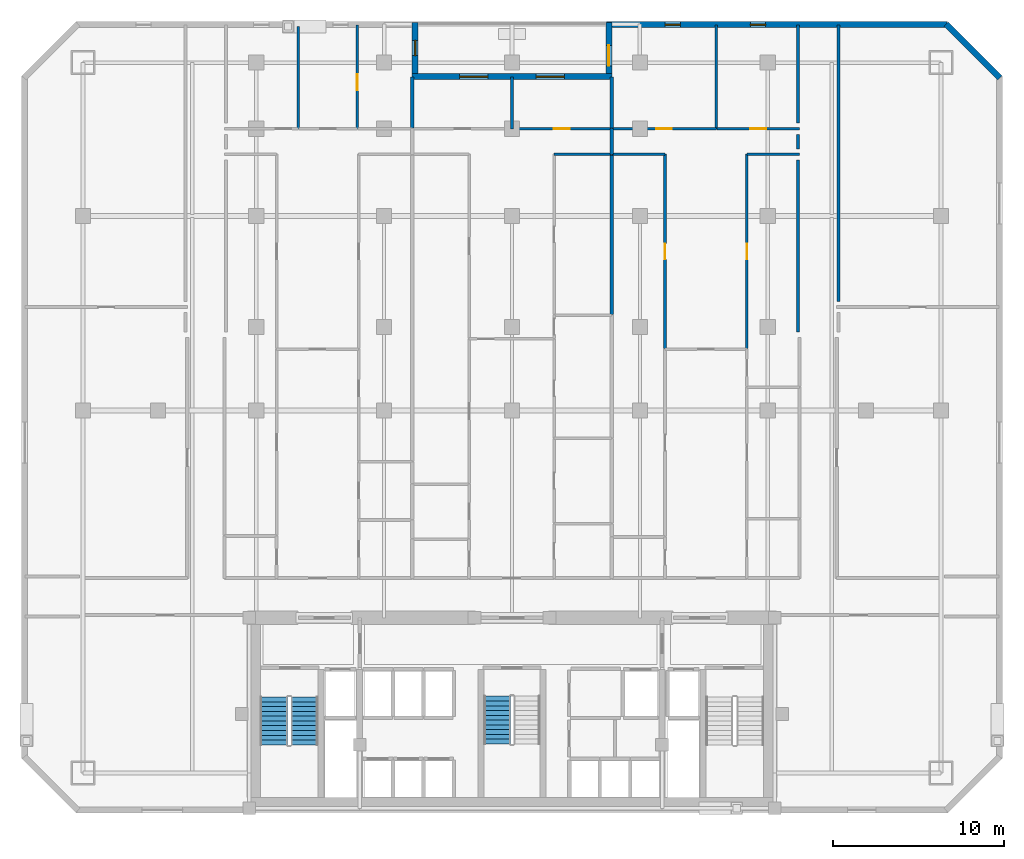
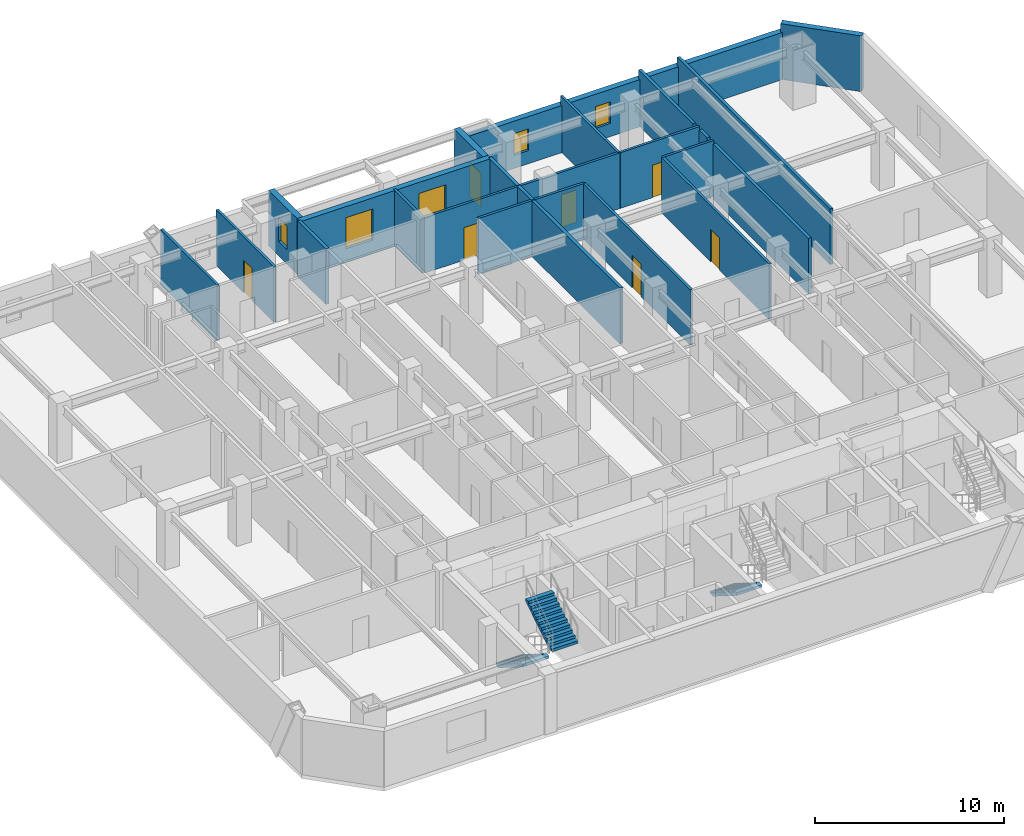
# One storey, part 7 of 9: 25 walls, 7 doors, 5 windows, 3 stair flights, 12 openings, 2 elements without a shape of their own.
"""IFC4 building model written with IfcOpenShell, lengths in metres."""

from ifc_helpers import new_model, si_unit, direction, frame, frame_2d, origin, place, context, subcontext, project, spatial, polyline, rectangle, outline, extrude, material, layer, layer_set, type_object, element, fill, aggregate, save


model = new_model("IFC4")

# Units and contexts
model_context = context("Model", 3, precision=1e-05, world=origin(), true_north=direction((0.0, 1.0)))
body_context = subcontext(model_context, "Body", "Model", "MODEL_VIEW")
ifc_project = project(units=[si_unit("LENGTHUNIT", "METRE"), si_unit("AREAUNIT", "SQUARE_METRE"), si_unit("VOLUMEUNIT", "CUBIC_METRE"), si_unit("PLANEANGLEUNIT", "RADIAN"), si_unit("MASSUNIT", "GRAM", prefix="KILO")], contexts=[model_context])

# Site, building, storey
site_placement = place(None, origin())
site = spatial("IfcSite", under=ifc_project, at=site_placement, CompositionType="ELEMENT")
building_placement = place(site_placement, origin())
building = spatial("IfcBuilding", under=site, at=building_placement, Name="Ventersveld Concourse Tower", CompositionType="ELEMENT")
storey_placement = place(building_placement, frame((0.0, 0.0, 52.89990234375)))
storey = spatial("IfcBuildingStorey", under=building, at=storey_placement, Name="L12", CompositionType="ELEMENT", Elevation=52.89990234375)

# Walls
ifc_material_1 = material(Name="Fire-rated autoclaved aerated masonry blockwork", Category="masonry")
ifc_layer_1 = layer(ifc_material_1, 0.179931640625)
ifc_layer_set_1 = layer_set([ifc_layer_1], Name="Fire-rated autoclaved aerated masonry blockwork")
wall_type_1 = type_object("IfcWallType", Name="WL-CORR-180", PredefinedType="PARTITIONING", material=ifc_layer_set_1)
wall_1_placement = place(storey_placement, frame((47.8798828125, 29.9951171875, 0.0), z_axis=(0.0, 0.0, 1.0), x_axis=(0.0, 1.0, 0.0)))
element("IfcWall", 1, at=wall_1_placement, inside=storey, type_object=wall_type_1, Name="L12 Room Enclosure Wall SP-L12-NELNG2", PredefinedType="PARTITIONING", context=body_context, shape_type="SweptSolid", body=[
    extrude(rectangle(XDim=16.19482421875, YDim=0.179931640625, at=frame_2d((8.097412109375, 0.0))), origin(), (0.0, 0.0, 1.0), 3.60009765625),
])
wall_2_placement = place(storey_placement, frame((45.52001953125, 39.794921875, 0.0), z_axis=(0.0, 0.0, 1.0), x_axis=(0.0, -1.0, 0.0)))
element("IfcWall", 2, at=wall_2_placement, inside=storey, type_object=wall_type_1, Name="L12 Room Enclosure Wall SP-L12-12CE-LIV", PredefinedType="PARTITIONING", context=body_context, shape_type="SweptSolid", body=[
    extrude(rectangle(XDim=0.849853515625, YDim=0.179931640625, at=frame_2d((0.4248046875, 0.0))), origin(), (0.0, 0.0, 1.0), 3.60009765625),
])
wall_3_placement = place(storey_placement, frame((45.52001953125, 38.294921875, 0.0), z_axis=(0.0, 0.0, 1.0), x_axis=(0.0, -1.0, 0.0)))
element("IfcWall", 3, at=wall_3_placement, inside=storey, type_object=wall_type_1, Name="L12 Room Enclosure Wall SP-L12-12CE-DENS", PredefinedType="PARTITIONING", context=body_context, shape_type="SweptSolid", body=[
    extrude(rectangle(XDim=10.0849609375, YDim=0.179931640625, at=frame_2d((5.04248046875, 0.0))), origin(), (0.0, 0.0, 1.0), 3.60009765625),
])
wall_4_placement = place(storey_placement, frame((45.52001953125, 46.18994140625, 0.0), z_axis=(0.0, 0.0, 1.0), x_axis=(0.0, -1.0, 0.0)))
element("IfcWall", 4, at=wall_4_placement, inside=storey, type_object=wall_type_1, Name="L12 Room Enclosure Wall SP-L12-12CE-BR2", PredefinedType="PARTITIONING", context=body_context, shape_type="SweptSolid", body=[
    extrude(rectangle(XDim=5.744873046875, YDim=0.179931640625, at=frame_2d((2.87255859375, 0.0))), origin(), (0.0, 0.0, 1.0), 3.60009765625),
])
ifc_layer_2 = layer(ifc_material_1, 0.199951171875)
ifc_layer_set_2 = layer_set([ifc_layer_2], Name="Fire-rated autoclaved aerated masonry blockwork")
wall_type_2 = type_object("IfcWallType", Name="WL-DEMISE-200", PredefinedType="PARTITIONING", material=ifc_layer_set_2)
wall_5_placement = place(storey_placement, frame((22.909912109375, 40.155029296875, 0.0), z_axis=(0.0, 0.0, 1.0), x_axis=(0.0, 1.0, 0.0)))
element("IfcWall", 5, at=wall_5_placement, inside=storey, type_object=wall_type_2, Name="L12 Interior Partition SP-L12-12CW-BR3-SP-L12-12CM-BR1", PredefinedType="PARTITIONING", context=body_context, shape_type="SweptSolid", body=[
    extrude(rectangle(XDim=2.98486328125, YDim=0.199951171875, at=frame_2d((1.492431640625, 0.0))), origin(), (0.0, 0.0, 1.0), 3.60009765625),
])
wall_6_placement = place(storey_placement, frame((34.590087890625, 38.614990234375, 0.0), z_axis=(0.0, 0.0, 1.0), x_axis=(0.0, 1.0, 0.0)))
element("IfcWall", 6, at=wall_6_placement, inside=storey, type_object=wall_type_2, Name="L12 Interior Partition SP-L12-12CE-LIV-SP-L12-12CM-LIV", PredefinedType="PARTITIONING", context=body_context, shape_type="SweptSolid", body=[
    extrude(rectangle(XDim=1.510009765625, YDim=0.199951171875, at=frame_2d((0.7548828125, 0.0))), origin(), (0.0, 0.0, 1.0), 3.60009765625),
])
wall_7_placement = place(storey_placement, frame((34.590087890625, 29.223388671875, 0.0), z_axis=(0.0, 0.0, 1.0), x_axis=(0.0, 1.0, 0.0)))
element("IfcWall", 7, at=wall_7_placement, inside=storey, type_object=wall_type_2, Name="L12 Interior Partition SP-L12-12CE-OFFL0-SP-L12-12CM-DENS2", PredefinedType="PARTITIONING", context=body_context, shape_type="SweptSolid", body=[
    extrude(rectangle(XDim=9.361572265625, YDim=0.199951171875, at=frame_2d((4.6806640625, 0.0))), origin(), (0.0, 0.0, 1.0), 3.60009765625),
])
wall_8_placement = place(storey_placement, frame((34.590087890625, 40.155029296875, 0.0), z_axis=(0.0, 0.0, 1.0), x_axis=(0.0, 1.0, 0.0)))
element("IfcWall", 8, at=wall_8_placement, inside=storey, type_object=wall_type_2, Name="L12 Interior Partition SP-L12-12CE-BR1-SP-L12-12CM-BR2", PredefinedType="PARTITIONING", context=body_context, shape_type="SweptSolid", body=[
    extrude(rectangle(XDim=2.98486328125, YDim=0.199951171875, at=frame_2d((1.492431640625, 0.0))), origin(), (0.0, 0.0, 1.0), 3.60009765625),
])
ifc_material_2 = material(Name="Autoclaved aerated masonry blockwork", Category="masonry")
ifc_layer_3 = layer(ifc_material_2, 0.14990234375)
ifc_layer_set_3 = layer_set([ifc_layer_3], Name="Autoclaved aerated masonry blockwork")
wall_type_3 = type_object("IfcWallType", Name="WL-INT-150", PredefinedType="PARTITIONING", material=ifc_layer_set_3)
wall_9_placement = place(storey_placement, frame((16.21826171875, 40.114990234375, 0.0), z_axis=(0.0, 0.0, 1.0), x_axis=(0.0, 1.0, 0.0)))
element("IfcWall", 9, at=wall_9_placement, inside=storey, type_object=wall_type_3, Name="L12 Interior Partition SP-L12-12CW-BR1-SP-L12-12CW-BR2", PredefinedType="PARTITIONING", context=body_context, shape_type="SweptSolid", body=[
    extrude(rectangle(XDim=5.987060546875, YDim=0.14990234375, at=frame_2d((2.99365234375, 0.0))), origin(), (0.0, 0.0, 1.0), 3.60009765625),
])

# Wall, opening, door
wall_10_placement = place(storey_placement, frame((19.67333984375, 40.114990234375, 0.0), z_axis=(0.0, 0.0, 1.0), x_axis=(0.0, 1.0, 0.0)))
wall_10 = element("IfcWall", 10, at=wall_10_placement, inside=storey, type_object=wall_type_3, Name="L12 Interior Partition SP-L12-12CW-BR2-SP-L12-12CW-BR3", PredefinedType="PARTITIONING", context=body_context, shape_type="SweptSolid", body=[
    extrude(rectangle(XDim=6.074951171875, YDim=0.14990234375, at=frame_2d((3.03759765625, 0.0))), origin(), (0.0, 0.0, 1.0), 3.60009765625),
])
opening_1_placement = place(wall_10_placement, frame((2.27001953125, 0.0, 0.0)))
opening_1 = element("IfcOpeningElement", 11, at=opening_1_placement, cuts=wall_10, Name="Opening ID1", PredefinedType="OPENING", context=body_context, shape_type="SweptSolid", body=[
    extrude(rectangle(XDim=0.919921875, YDim=2.10009765625, at=frame_2d((0.4599609375, 1.050048828125))), frame((0.0, 0.0849609375, 0.0), z_axis=(0.0, -1.0, 0.0), x_axis=(1.0, 0.0, 0.0)), (0.0, 0.0, 1.0), 0.169921875),
])
ifc_material_3 = material(Name="Solid-core hardwood veneer timber", Category="wood")
door_type_1 = type_object("IfcDoorType", Name="DR-ROOM-092", OperationType="NOTDEFINED", PredefinedType="DOOR", material=ifc_material_3)
door_1_placement = place(opening_1_placement, origin())
door_1 = element("IfcDoor", 12, at=door_1_placement, inside=storey, type_object=door_type_1, Name="L12 Interior Door Flat 12CW Bedroom 3 (D-L12-0530)", OperationType="SINGLE_SWING_LEFT", OverallHeight=2.10009765625, OverallWidth=0.919921875, PredefinedType="DOOR", context=body_context, shape_type="SweptSolid", body=[
    extrude(rectangle(XDim=0.919921875, YDim=2.10009765625, at=frame_2d((0.4599609375, 1.050048828125))), frame((0.0, 0.02490234375, 0.0), z_axis=(0.0, -1.0, 0.0), x_axis=(1.0, 0.0, 0.0)), (0.0, 0.0, 1.0), 0.050048828125),
])
fill(opening_1, door_1)

wall_11_placement = place(storey_placement, frame((37.71923828125, 27.2294921875, 0.0), z_axis=(0.0, 0.0, 1.0), x_axis=(0.0, 1.0, 0.0)))
wall_11 = element("IfcWall", 13, at=wall_11_placement, inside=storey, type_object=wall_type_3, Name="L12 Interior Partition SP-L12-12CE-LIV-SP-L12-12CE-OFFL0", PredefinedType="PARTITIONING", context=body_context, shape_type="SweptSolid", body=[
    extrude(rectangle(XDim=11.3955078125, YDim=0.14990234375, at=frame_2d((5.69775390625, 0.0))), origin(), (0.0, 0.0, 1.0), 3.60009765625),
])
opening_2_placement = place(wall_11_placement, frame((5.23779296875, 0.0, 0.0)))
opening_2 = element("IfcOpeningElement", 14, at=opening_2_placement, cuts=wall_11, Name="Opening ID1", PredefinedType="OPENING", context=body_context, shape_type="SweptSolid", body=[
    extrude(rectangle(XDim=0.919921875, YDim=2.10009765625, at=frame_2d((0.4599609375, 1.050048828125))), frame((0.0, 0.0849609375, 0.0), z_axis=(0.0, -1.0, 0.0), x_axis=(1.0, 0.0, 0.0)), (0.0, 0.0, 1.0), 0.169921875),
])
door_2_placement = place(opening_2_placement, origin())
door_2 = element("IfcDoor", 15, at=door_2_placement, inside=storey, type_object=door_type_1, Name="L12 Interior Door SP-L12-12CE-LIV to SP-L12-12CE-OFFL0 (D-L12-0513)", OperationType="SINGLE_SWING_LEFT", OverallHeight=2.10009765625, OverallWidth=0.919921875, PredefinedType="DOOR", context=body_context, shape_type="SweptSolid", body=[
    extrude(rectangle(XDim=0.919921875, YDim=2.10009765625, at=frame_2d((0.4599609375, 1.050048828125))), frame((0.0, 0.02490234375, 0.0), z_axis=(0.0, -1.0, 0.0), x_axis=(1.0, 0.0, 0.0)), (0.0, 0.0, 1.0), 0.050048828125),
])
fill(opening_2, door_2)

# Wall
wall_12_placement = place(storey_placement, frame((34.5849609375, 38.6201171875, 0.0), z_axis=(0.0, 0.0, 1.0), x_axis=(1.0, 0.0, 0.0)))
element("IfcWall", 16, at=wall_12_placement, inside=storey, type_object=wall_type_3, Name="L12 Interior Partition SP-L12-12CE-LIV-SP-L12-12CE-OFFL0", PredefinedType="PARTITIONING", context=body_context, shape_type="SweptSolid", body=[
    extrude(rectangle(XDim=3.139404296875, YDim=0.14990234375, at=frame_2d((1.56982421875, 0.0))), origin(), (0.0, 0.0, 1.0), 3.60009765625),
])

# Wall, opening, door
wall_13_placement = place(storey_placement, frame((42.525634765625, 27.2294921875, 0.0), z_axis=(0.0, 0.0, 1.0), x_axis=(0.0, 1.0, 0.0)))
wall_13 = element("IfcWall", 17, at=wall_13_placement, inside=storey, type_object=wall_type_3, Name="L12 Interior Partition SP-L12-12CE-LIV-SP-L12-12CE-DENS", PredefinedType="PARTITIONING", context=body_context, shape_type="SweptSolid", body=[
    extrude(rectangle(XDim=11.3955078125, YDim=0.14990234375, at=frame_2d((5.69775390625, 0.0))), origin(), (0.0, 0.0, 1.0), 3.60009765625),
])
opening_3_placement = place(wall_13_placement, frame((5.23779296875, 0.0, 0.0)))
opening_3 = element("IfcOpeningElement", 18, at=opening_3_placement, cuts=wall_13, Name="Opening ID1", PredefinedType="OPENING", context=body_context, shape_type="SweptSolid", body=[
    extrude(rectangle(XDim=0.919921875, YDim=2.10009765625, at=frame_2d((0.4599609375, 1.050048828125))), frame((0.0, 0.0849609375, 0.0), z_axis=(0.0, -1.0, 0.0), x_axis=(1.0, 0.0, 0.0)), (0.0, 0.0, 1.0), 0.169921875),
])
door_3_placement = place(opening_3_placement, origin())
door_3 = element("IfcDoor", 19, at=door_3_placement, inside=storey, type_object=door_type_1, Name="L12 Interior Door SP-L12-12CE-LIV to SP-L12-12CE-DENS (D-L12-0514)", OperationType="SINGLE_SWING_RIGHT", OverallHeight=2.10009765625, OverallWidth=0.919921875, PredefinedType="DOOR", context=body_context, shape_type="SweptSolid", body=[
    extrude(rectangle(XDim=0.919921875, YDim=2.10009765625, at=frame_2d((0.4599609375, 1.050048828125))), frame((0.0, 0.02490234375, 0.0), z_axis=(0.0, -1.0, 0.0), x_axis=(1.0, 0.0, 0.0)), (0.0, 0.0, 1.0), 0.050048828125),
])
fill(opening_3, door_3)

# Wall
wall_14_placement = place(storey_placement, frame((42.520751953125, 38.6201171875, 0.0), z_axis=(0.0, 0.0, 1.0), x_axis=(1.0, 0.0, 0.0)))
element("IfcWall", 20, at=wall_14_placement, inside=storey, type_object=wall_type_3, Name="L12 Interior Partition SP-L12-12CE-LIV-SP-L12-12CE-DENS", PredefinedType="PARTITIONING", context=body_context, shape_type="SweptSolid", body=[
    extrude(rectangle(XDim=3.09423828125, YDim=0.14990234375, at=frame_2d((1.547119140625, 0.0))), origin(), (0.0, 0.0, 1.0), 3.60009765625),
])

# Wall, opening, door
wall_15_placement = place(storey_placement, frame((34.5849609375, 40.1201171875, 0.0), z_axis=(0.0, 0.0, 1.0), x_axis=(1.0, 0.0, 0.0)))
wall_15 = element("IfcWall", 21, at=wall_15_placement, inside=storey, type_object=wall_type_3, Name="L12 Interior Partition SP-L12-12CE-LIV-SP-L12-12CE-BR1", PredefinedType="PARTITIONING", context=body_context, shape_type="SweptSolid", body=[
    extrude(rectangle(XDim=6.147216796875, YDim=0.14990234375, at=frame_2d((3.07373046875, 0.0))), origin(), (0.0, 0.0, 1.0), 3.60009765625),
])
opening_4_placement = place(wall_15_placement, frame((2.613525390625, 0.0, 0.0)))
opening_4 = element("IfcOpeningElement", 22, at=opening_4_placement, cuts=wall_15, Name="Opening ID1", PredefinedType="OPENING", context=body_context, shape_type="SweptSolid", body=[
    extrude(rectangle(XDim=0.919921875, YDim=2.10009765625, at=frame_2d((0.4599609375, 1.050048828125))), frame((0.0, 0.0849609375, 0.0), z_axis=(0.0, -1.0, 0.0), x_axis=(1.0, 0.0, 0.0)), (0.0, 0.0, 1.0), 0.169921875),
])
door_4_placement = place(opening_4_placement, origin())
door_4 = element("IfcDoor", 23, at=door_4_placement, inside=storey, type_object=door_type_1, Name="L12 Interior Door SP-L12-12CE-LIV to SP-L12-12CE-BR1 (D-L12-0515)", OperationType="SINGLE_SWING_LEFT", OverallHeight=2.10009765625, OverallWidth=0.919921875, PredefinedType="DOOR", context=body_context, shape_type="SweptSolid", body=[
    extrude(rectangle(XDim=0.919921875, YDim=2.10009765625, at=frame_2d((0.4599609375, 1.050048828125))), frame((0.0, 0.02490234375, 0.0), z_axis=(0.0, -1.0, 0.0), x_axis=(1.0, 0.0, 0.0)), (0.0, 0.0, 1.0), 0.050048828125),
])
fill(opening_4, door_4)

wall_16_placement = place(storey_placement, frame((40.76220703125, 40.1201171875, 0.0), z_axis=(0.0, 0.0, 1.0), x_axis=(1.0, 0.0, 0.0)))
wall_16 = element("IfcWall", 24, at=wall_16_placement, inside=storey, type_object=wall_type_3, Name="L12 Interior Partition SP-L12-12CE-LIV-SP-L12-12CE-BR2", PredefinedType="PARTITIONING", context=body_context, shape_type="SweptSolid", body=[
    extrude(rectangle(XDim=4.852783203125, YDim=0.14990234375, at=frame_2d((2.42626953125, 0.0))), origin(), (0.0, 0.0, 1.0), 3.60009765625),
])
opening_5_placement = place(wall_16_placement, frame((1.96630859375, 0.0, 0.0)))
opening_5 = element("IfcOpeningElement", 25, at=opening_5_placement, cuts=wall_16, Name="Opening ID1", PredefinedType="OPENING", context=body_context, shape_type="SweptSolid", body=[
    extrude(rectangle(XDim=0.919921875, YDim=2.10009765625, at=frame_2d((0.4599609375, 1.050048828125))), frame((0.0, 0.0849609375, 0.0), z_axis=(0.0, -1.0, 0.0), x_axis=(1.0, 0.0, 0.0)), (0.0, 0.0, 1.0), 0.169921875),
])
door_5_placement = place(opening_5_placement, origin())
door_5 = element("IfcDoor", 26, at=door_5_placement, inside=storey, type_object=door_type_1, Name="L12 Interior Door SP-L12-12CE-LIV to SP-L12-12CE-BR2 (D-L12-0516)", OperationType="SINGLE_SWING_RIGHT", OverallHeight=2.10009765625, OverallWidth=0.919921875, PredefinedType="DOOR", context=body_context, shape_type="SweptSolid", body=[
    extrude(rectangle(XDim=0.919921875, YDim=2.10009765625, at=frame_2d((0.4599609375, 1.050048828125))), frame((0.0, 0.02490234375, 0.0), z_axis=(0.0, -1.0, 0.0), x_axis=(1.0, 0.0, 0.0)), (0.0, 0.0, 1.0), 0.050048828125),
])
fill(opening_5, door_5)

# Walls
wall_17_placement = place(storey_placement, frame((40.72705078125, 40.114990234375, 0.0), z_axis=(0.0, 0.0, 1.0), x_axis=(0.0, 1.0, 0.0)))
element("IfcWall", 27, at=wall_17_placement, inside=storey, type_object=wall_type_3, Name="L12 Interior Partition SP-L12-12CE-BR1-SP-L12-12CE-BR2", PredefinedType="PARTITIONING", context=body_context, shape_type="SweptSolid", body=[
    extrude(rectangle(XDim=6.074951171875, YDim=0.14990234375, at=frame_2d((3.03759765625, 0.0))), origin(), (0.0, 0.0, 1.0), 3.60009765625),
])
wall_18_placement = place(storey_placement, frame((31.211181640625, 38.6201171875, 0.0), z_axis=(0.0, 0.0, 1.0), x_axis=(1.0, 0.0, 0.0)))
element("IfcWall", 28, at=wall_18_placement, inside=storey, type_object=wall_type_3, Name="L12 Interior Partition SP-L12-12CM-LIV-SP-L12-12CM-DENS2", PredefinedType="PARTITIONING", context=body_context, shape_type="SweptSolid", body=[
    extrude(rectangle(XDim=3.34375, YDim=0.14990234375, at=frame_2d((1.671875, 0.0))), origin(), (0.0, 0.0, 1.0), 3.60009765625),
])

# Wall, opening, door
wall_19_placement = place(storey_placement, frame((28.784912109375, 40.1201171875, 0.0), z_axis=(0.0, 0.0, 1.0), x_axis=(1.0, 0.0, 0.0)))
wall_19 = element("IfcWall", 29, at=wall_19_placement, inside=storey, type_object=wall_type_3, Name="L12 Interior Partition SP-L12-12CM-LIV-SP-L12-12CM-BR2", PredefinedType="PARTITIONING", context=body_context, shape_type="SweptSolid", body=[
    extrude(rectangle(XDim=5.77001953125, YDim=0.14990234375, at=frame_2d((2.885009765625, 0.0))), origin(), (0.0, 0.0, 1.0), 3.60009765625),
])
opening_6_placement = place(wall_19_placement, frame((2.425048828125, 0.0, 0.0)))
opening_6 = element("IfcOpeningElement", 30, at=opening_6_placement, cuts=wall_19, Name="Opening ID1", PredefinedType="OPENING", context=body_context, shape_type="SweptSolid", body=[
    extrude(rectangle(XDim=0.919921875, YDim=2.10009765625, at=frame_2d((0.4599609375, 1.050048828125))), frame((0.0, 0.0849609375, 0.0), z_axis=(0.0, -1.0, 0.0), x_axis=(1.0, 0.0, 0.0)), (0.0, 0.0, 1.0), 0.169921875),
])
door_6_placement = place(opening_6_placement, origin())
door_6 = element("IfcDoor", 31, at=door_6_placement, inside=storey, type_object=door_type_1, Name="L12 Interior Door SP-L12-12CM-LIV to SP-L12-12CM-BR2 (D-L12-0528)", OperationType="SINGLE_SWING_RIGHT", OverallHeight=2.10009765625, OverallWidth=0.919921875, PredefinedType="DOOR", context=body_context, shape_type="SweptSolid", body=[
    extrude(rectangle(XDim=0.919921875, YDim=2.10009765625, at=frame_2d((0.4599609375, 1.050048828125))), frame((0.0, 0.02490234375, 0.0), z_axis=(0.0, -1.0, 0.0), x_axis=(1.0, 0.0, 0.0)), (0.0, 0.0, 1.0), 0.050048828125),
])
fill(opening_6, door_6)

# Walls
wall_20_placement = place(storey_placement, frame((28.75, 40.114990234375, 0.0), z_axis=(0.0, 0.0, 1.0), x_axis=(0.0, 1.0, 0.0)))
element("IfcWall", 32, at=wall_20_placement, inside=storey, type_object=wall_type_3, Name="L12 Interior Partition SP-L12-12CM-BR1-SP-L12-12CM-BR2", PredefinedType="PARTITIONING", context=body_context, shape_type="SweptSolid", body=[
    extrude(rectangle(XDim=3.02490234375, YDim=0.14990234375, at=frame_2d((1.512451171875, 0.0))), origin(), (0.0, 0.0, 1.0), 3.60009765625),
])
ifc_material_4 = material(Name="Precast concrete C45/55", Category="concrete")
ifc_layer_4 = layer(ifc_material_4, 0.35009765625)
ifc_layer_set_4 = layer_set([ifc_layer_4], Name="Precast concrete C45/55")
wall_type_4 = type_object("IfcWallType", Name="WL-PREC-350", PredefinedType="SOLIDWALL", material=ifc_layer_set_4)
wall_21_placement = place(storey_placement, frame((57.347900390625, 43.1044921875, 0.0), z_axis=(0.0, 0.0, 1.0), x_axis=(-0.707079321262, 0.707134240044, 0.0)))
element("IfcWall", 33, at=wall_21_placement, inside=storey, type_object=wall_type_4, Name="L12 Highveld Precast Facade Wall E04", PredefinedType="SOLIDWALL", context=body_context, shape_type="SweptSolid", body=[
    extrude(rectangle(XDim=4.445556640625, YDim=0.35009765625, at=frame_2d((2.22265625, 0.0))), origin(), (0.0, 0.0, 1.0), 3.60009765625),
])

# Wall, openings, windows
wall_22_placement = place(storey_placement, frame((54.260009765625, 46.22509765625, 0.0), z_axis=(0.0, 0.0, 1.0), x_axis=(-1.0, 0.0, 0.0)))
wall_22 = element("IfcWall", 34, at=wall_22_placement, inside=storey, type_object=wall_type_4, Name="L12 Highveld Precast Facade Wall E05", PredefinedType="SOLIDWALL", context=body_context, shape_type="SweptSolid", body=[
    extrude(rectangle(XDim=19.969970703125, YDim=0.35009765625, at=frame_2d((9.98486328125, 0.0))), origin(), (0.0, 0.0, 1.0), 3.0556640625),
])
opening_7_placement = place(wall_22_placement, frame((15.634033203125, 0.0, 0.85009765625)))
opening_7 = element("IfcOpeningElement", 35, at=opening_7_placement, cuts=wall_22, Name="Opening W8", PredefinedType="OPENING", context=body_context, shape_type="SweptSolid", body=[
    extrude(rectangle(XDim=0.89990234375, YDim=1.39990234375, at=frame_2d((0.449951171875, 0.699951171875))), frame((0.0, 0.18505859375, 0.0), z_axis=(0.0, -1.0, 0.0), x_axis=(1.0, 0.0, 0.0)), (0.0, 0.0, 1.0), 0.3701171875),
])
opening_8_placement = place(wall_22_placement, frame((10.641357421875, 0.0, 0.85009765625)))
opening_8 = element("IfcOpeningElement", 36, at=opening_8_placement, cuts=wall_22, Name="Opening W8", PredefinedType="OPENING", context=body_context, shape_type="SweptSolid", body=[
    extrude(rectangle(XDim=0.89990234375, YDim=1.39990234375, at=frame_2d((0.449951171875, 0.699951171875))), frame((0.0, 0.18505859375, 0.0), z_axis=(0.0, -1.0, 0.0), x_axis=(1.0, 0.0, 0.0)), (0.0, 0.0, 1.0), 0.3701171875),
])
ifc_material_5 = material(Name="Tempered acoustic Low-E IGU", Category="glass")
window_type_1 = type_object("IfcWindowType", Name="WIN-090x140", PartitioningType="SINGLE_PANEL", PredefinedType="WINDOW", material=ifc_material_5)
window_1_placement = place(opening_7_placement, origin())
window_1 = element("IfcWindow", 37, at=window_1_placement, inside=storey, type_object=window_type_1, Name="L12 Punched Low-E Window W-0087", OverallHeight=1.39990234375, OverallWidth=0.89990234375, PartitioningType="SINGLE_PANEL", PredefinedType="WINDOW", context=body_context, shape_type="SweptSolid", body=[
    extrude(rectangle(XDim=0.89990234375, YDim=1.39990234375, at=frame_2d((0.449951171875, 0.699951171875))), frame((0.0, 0.030029296875, 0.0), z_axis=(0.0, -1.0, 0.0), x_axis=(1.0, 0.0, 0.0)), (0.0, 0.0, 1.0), 0.06005859375),
])
fill(opening_7, window_1)
window_2_placement = place(opening_8_placement, origin())
window_2 = element("IfcWindow", 38, at=window_2_placement, inside=storey, type_object=window_type_1, Name="L12 Punched Low-E Window W-0088", OverallHeight=1.39990234375, OverallWidth=0.89990234375, PartitioningType="SINGLE_PANEL", PredefinedType="WINDOW", context=body_context, shape_type="SweptSolid", body=[
    extrude(rectangle(XDim=0.89990234375, YDim=1.39990234375, at=frame_2d((0.449951171875, 0.699951171875))), frame((0.0, 0.030029296875, 0.0), z_axis=(0.0, -1.0, 0.0), x_axis=(1.0, 0.0, 0.0)), (0.0, 0.0, 1.0), 0.06005859375),
])
fill(opening_8, window_2)

# Wall, opening, door
wall_23_placement = place(storey_placement, frame((34.425048828125, 46.360107421875, 0.0), z_axis=(0.0, 0.0, 1.0), x_axis=(0.0, -1.0, 0.0)))
wall_23 = element("IfcWall", 39, at=wall_23_placement, inside=storey, type_object=wall_type_4, Name="L12 Highveld Precast Facade Wall E06", PredefinedType="SOLIDWALL", context=body_context, shape_type="SweptSolid", body=[
    extrude(rectangle(XDim=3.010009765625, YDim=0.35009765625, at=frame_2d((1.5048828125, 0.0))), origin(), (0.0, 0.0, 1.0), 3.60009765625),
])
opening_9_placement = place(wall_23_placement, frame((1.3564453125, 0.0, 0.0)))
opening_9 = element("IfcOpeningElement", 40, at=opening_9_placement, cuts=wall_23, Name="Opening TD1", PredefinedType="OPENING", context=body_context, shape_type="SweptSolid", body=[
    extrude(rectangle(XDim=1.199951171875, YDim=2.199951171875, at=frame_2d((0.60009765625, 1.10009765625))), frame((0.0, 0.18505859375, 0.0), z_axis=(0.0, -1.0, 0.0), x_axis=(1.0, 0.0, 0.0)), (0.0, 0.0, 1.0), 0.3701171875),
])
ifc_material_6 = material(Name="Anodised aluminium EN AW-6063-T6", Category="aluminium")
door_type_2 = type_object("IfcDoorType", Name="DR-TERR-120", OperationType="NOTDEFINED", PredefinedType="DOOR", material=ifc_material_6)
door_7_placement = place(opening_9_placement, frame((1.199951171875, 0.0, 0.0), z_axis=(0.0, 0.0, 1.0), x_axis=(-1.0, 0.0, 0.0)))
door_7 = element("IfcDoor", 41, at=door_7_placement, inside=storey, type_object=door_type_2, Name="L12 Stepped Valley Terrace Door TD-L12-01", OperationType="SINGLE_SWING_LEFT", OverallHeight=2.199951171875, OverallWidth=1.199951171875, PredefinedType="DOOR", context=body_context, shape_type="SweptSolid", body=[
    extrude(rectangle(XDim=1.199951171875, YDim=2.199951171875, at=frame_2d((0.60009765625, 1.10009765625))), frame((0.0, 0.02490234375, 0.0), z_axis=(0.0, -1.0, 0.0), x_axis=(1.0, 0.0, 0.0)), (0.0, 0.0, 1.0), 0.050048828125),
])
fill(opening_9, door_7)

# Wall, openings, windows
wall_24_placement = place(storey_placement, frame((34.60009765625, 43.175048828125, 0.0), z_axis=(0.0, 0.0, 1.0), x_axis=(-1.0, 0.0, 0.0)))
wall_24 = element("IfcWall", 42, at=wall_24_placement, inside=storey, type_object=wall_type_4, Name="L12 Highveld Precast Facade Wall E07", PredefinedType="SOLIDWALL", context=body_context, shape_type="SweptSolid", body=[
    extrude(rectangle(XDim=11.7001953125, YDim=0.35009765625, at=frame_2d((5.85009765625, 0.0))), origin(), (0.0, 0.0, 1.0), 3.60009765625),
])
opening_10_placement = place(wall_24_placement, frame((7.266357421875, 0.0, 0.8798828125)))
opening_10 = element("IfcOpeningElement", 43, at=opening_10_placement, cuts=wall_24, Name="Opening W6", PredefinedType="OPENING", context=body_context, shape_type="SweptSolid", body=[
    extrude(rectangle(XDim=1.64990234375, YDim=2.0, at=frame_2d((0.824951171875, 1.0))), frame((0.0, 0.18505859375, 0.0), z_axis=(0.0, -1.0, 0.0), x_axis=(1.0, 0.0, 0.0)), (0.0, 0.0, 1.0), 0.3701171875),
])
opening_11_placement = place(wall_24_placement, frame((2.78369140625, 0.0, 0.8798828125)))
opening_11 = element("IfcOpeningElement", 44, at=opening_11_placement, cuts=wall_24, Name="Opening W6", PredefinedType="OPENING", context=body_context, shape_type="SweptSolid", body=[
    extrude(rectangle(XDim=1.64990234375, YDim=2.0, at=frame_2d((0.824951171875, 1.0))), frame((0.0, 0.18505859375, 0.0), z_axis=(0.0, -1.0, 0.0), x_axis=(1.0, 0.0, 0.0)), (0.0, 0.0, 1.0), 0.3701171875),
])
window_type_2 = type_object("IfcWindowType", Name="WIN-165x200", PartitioningType="SINGLE_PANEL", PredefinedType="WINDOW", material=ifc_material_5)
window_3_placement = place(opening_10_placement, origin())
window_3 = element("IfcWindow", 45, at=window_3_placement, inside=storey, type_object=window_type_2, Name="L12 Punched Low-E Window W-0089", OverallHeight=2.0, OverallWidth=1.64990234375, PartitioningType="SINGLE_PANEL", PredefinedType="WINDOW", context=body_context, shape_type="SweptSolid", body=[
    extrude(rectangle(XDim=1.64990234375, YDim=2.0, at=frame_2d((0.824951171875, 1.0))), frame((0.0, 0.030029296875, 0.0), z_axis=(0.0, -1.0, 0.0), x_axis=(1.0, 0.0, 0.0)), (0.0, 0.0, 1.0), 0.06005859375),
])
fill(opening_10, window_3)
window_4_placement = place(opening_11_placement, origin())
window_4 = element("IfcWindow", 46, at=window_4_placement, inside=storey, type_object=window_type_2, Name="L12 Punched Low-E Window W-0090", OverallHeight=2.0, OverallWidth=1.64990234375, PartitioningType="SINGLE_PANEL", PredefinedType="WINDOW", context=body_context, shape_type="SweptSolid", body=[
    extrude(rectangle(XDim=1.64990234375, YDim=2.0, at=frame_2d((0.824951171875, 1.0))), frame((0.0, 0.030029296875, 0.0), z_axis=(0.0, -1.0, 0.0), x_axis=(1.0, 0.0, 0.0)), (0.0, 0.0, 1.0), 0.06005859375),
])
fill(opening_11, window_4)

# Wall, opening, window
wall_25_placement = place(storey_placement, frame((23.074951171875, 43.35009765625, 0.0), z_axis=(0.0, 0.0, 1.0), x_axis=(0.0, 1.0, 0.0)))
wall_25 = element("IfcWall", 47, at=wall_25_placement, inside=storey, type_object=wall_type_4, Name="L12 Highveld Precast Facade Wall E08", PredefinedType="SOLIDWALL", context=body_context, shape_type="SweptSolid", body=[
    extrude(rectangle(XDim=3.010009765625, YDim=0.35009765625, at=frame_2d((1.5048828125, 0.0))), origin(), (0.0, 0.0, 1.0), 3.60009765625),
])
opening_12_placement = place(wall_25_placement, frame((1.054931640625, 0.0, 0.949951171875)))
opening_12 = element("IfcOpeningElement", 48, at=opening_12_placement, cuts=wall_25, Name="Opening W4", PredefinedType="OPENING", context=body_context, shape_type="SweptSolid", body=[
    extrude(rectangle(XDim=0.89990234375, YDim=1.5, at=frame_2d((0.449951171875, 0.75))), frame((0.0, 0.18505859375, 0.0), z_axis=(0.0, -1.0, 0.0), x_axis=(1.0, 0.0, 0.0)), (0.0, 0.0, 1.0), 0.3701171875),
])
window_type_3 = type_object("IfcWindowType", Name="WIN-090x150", PartitioningType="SINGLE_PANEL", PredefinedType="WINDOW", material=ifc_material_5)
window_5_placement = place(opening_12_placement, origin())
window_5 = element("IfcWindow", 49, at=window_5_placement, inside=storey, type_object=window_type_3, Name="L12 Punched Low-E Window W-0086", OverallHeight=1.5, OverallWidth=0.89990234375, PartitioningType="SINGLE_PANEL", PredefinedType="WINDOW", context=body_context, shape_type="SweptSolid", body=[
    extrude(rectangle(XDim=0.89990234375, YDim=1.5, at=frame_2d((0.449951171875, 0.75))), frame((0.0, 0.030029296875, 0.0), z_axis=(0.0, -1.0, 0.0), x_axis=(1.0, 0.0, 0.0)), (0.0, 0.0, 1.0), 0.06005859375),
])
fill(opening_12, window_5)

# Stair, stair flight
ifc_material_7 = material(Name="Concrete C50/60", Category="concrete")
stair_type_1 = type_object("IfcStairType", Name="ST-DOG-155", PredefinedType="HALF_TURN_STAIR", material=ifc_material_7)
stair_1_placement = place(storey_placement, origin())
stair_1 = element("IfcStair", 50, at=stair_1_placement, inside=storey, type_object=stair_type_1, Name="L12 Protected Central Core Escape Stair ST-03", PredefinedType="HALF_TURN_STAIR")
stair_flight_type_1 = type_object("IfcStairFlightType", Name="STF-RC-155", PredefinedType="STRAIGHT", material=ifc_material_7)
stair_flight_1_placement = place(storey_placement, frame((27.875, 6.85009765625, 0.0), z_axis=(0.0, 0.0, 1.0), x_axis=(0.0, -1.0, 0.0)))
stair_flight_1 = element("IfcStairFlight", 51, at=stair_flight_1_placement, type_object=stair_flight_type_1, Name="ST-03 flight 1", NumberOfRisers=11, NumberOfTreads=10, PredefinedType="STRAIGHT", RiserHeight=0.175, TreadLength=0.28, context=body_context, shape_type="SweptSolid", body=[
    extrude(outline(polyline([(0.0, 0.0), (0.0, 0.175048828125), (0.280029296875, 0.175048828125), (0.280029296875, 0.35009765625), (0.56005859375, 0.35009765625), (0.56005859375, 0.52490234375), (0.840087890625, 0.52490234375), (0.840087890625, 0.699951171875), (1.1201171875, 0.699951171875), (1.1201171875, 0.875), (1.39990234375, 0.875), (1.39990234375, 1.050048828125), (1.679931640625, 1.050048828125), (1.679931640625, 1.22509765625), (1.9599609375, 1.22509765625), (1.9599609375, 1.39990234375), (2.239990234375, 1.39990234375), (2.239990234375, 1.574951171875), (2.52001953125, 1.574951171875), (2.52001953125, 1.75), (2.800048828125, 1.75), (2.800048828125, 1.925048828125), (2.800048828125, 1.5732421875), (0.28271484375, 0.0), (0.0, 0.0)])), frame((0.0, 0.77490234375, 0.0), z_axis=(0.0, -1.0, 0.0), x_axis=(1.0, 0.0, 0.0)), (0.0, 0.0, 1.0), 1.550048828125),
])
aggregate(stair_1, [stair_flight_1])

# Stair, stair flights
stair_type_2 = type_object("IfcStairType", Name="ST-DOG-160", PredefinedType="HALF_TURN_STAIR", material=ifc_material_7)
stair_2_placement = place(storey_placement, origin())
stair_2 = element("IfcStair", 52, at=stair_2_placement, inside=storey, type_object=stair_type_2, Name="L12 Protected Tower Escape Stair ST-01", PredefinedType="HALF_TURN_STAIR")
stair_flight_type_2 = type_object("IfcStairFlightType", Name="STF-RC-160", PredefinedType="STRAIGHT", material=ifc_material_7)
stair_flight_2_placement = place(storey_placement, frame((14.780029296875, 6.800048828125, 0.0), z_axis=(0.0, 0.0, 1.0), x_axis=(0.0, -1.0, 0.0)))
stair_flight_2 = element("IfcStairFlight", 53, at=stair_flight_2_placement, type_object=stair_flight_type_2, Name="ST-01 flight 1", NumberOfRisers=11, NumberOfTreads=10, PredefinedType="STRAIGHT", RiserHeight=0.175, TreadLength=0.28, context=body_context, shape_type="SweptSolid", body=[
    extrude(outline(polyline([(0.0, 0.0), (0.0, 0.175048828125), (0.280029296875, 0.175048828125), (0.280029296875, 0.35009765625), (0.56005859375, 0.35009765625), (0.56005859375, 0.52490234375), (0.840087890625, 0.52490234375), (0.840087890625, 0.699951171875), (1.1201171875, 0.699951171875), (1.1201171875, 0.875), (1.39990234375, 0.875), (1.39990234375, 1.050048828125), (1.679931640625, 1.050048828125), (1.679931640625, 1.22509765625), (1.9599609375, 1.22509765625), (1.9599609375, 1.39990234375), (2.239990234375, 1.39990234375), (2.239990234375, 1.574951171875), (2.52001953125, 1.574951171875), (2.52001953125, 1.75), (2.800048828125, 1.75), (2.800048828125, 1.925048828125), (2.800048828125, 1.5732421875), (0.28271484375, 0.0), (0.0, 0.0)])), frame((0.0, 0.800048828125, 0.0), z_axis=(0.0, -1.0, 0.0), x_axis=(1.0, 0.0, 0.0)), (0.0, 0.0, 1.0), 1.60009765625),
])
stair_flight_3_placement = place(storey_placement, frame((16.580078125, 4.0, 1.925048828125), z_axis=(0.0, 0.0, 1.0), x_axis=(0.0, 1.0, 0.0)))
stair_flight_3 = element("IfcStairFlight", 54, at=stair_flight_3_placement, type_object=stair_flight_type_2, Name="ST-01 flight 2", NumberOfRisers=11, NumberOfTreads=10, PredefinedType="STRAIGHT", RiserHeight=0.175, TreadLength=0.28, context=body_context, shape_type="SweptSolid", body=[
    extrude(outline(polyline([(0.0, 0.0), (0.0, 0.175048828125), (0.280029296875, 0.175048828125), (0.280029296875, 0.35009765625), (0.56005859375, 0.35009765625), (0.56005859375, 0.52490234375), (0.840087890625, 0.52490234375), (0.840087890625, 0.699951171875), (1.1201171875, 0.699951171875), (1.1201171875, 0.875), (1.39990234375, 0.875), (1.39990234375, 1.050048828125), (1.679931640625, 1.050048828125), (1.679931640625, 1.22509765625), (1.9599609375, 1.22509765625), (1.9599609375, 1.39990234375), (2.239990234375, 1.39990234375), (2.239990234375, 1.574951171875), (2.52001953125, 1.574951171875), (2.52001953125, 1.75), (2.800048828125, 1.75), (2.800048828125, 1.925048828125), (2.800048828125, 1.5732421875), (0.28271484375, 0.0), (0.0, 0.0)])), frame((0.0, 0.800048828125, 0.0), z_axis=(0.0, -1.0, 0.0), x_axis=(1.0, 0.0, 0.0)), (0.0, 0.0, 1.0), 1.60009765625),
])
aggregate(stair_2, [stair_flight_2, stair_flight_3])

save(model, "model.ifc")
